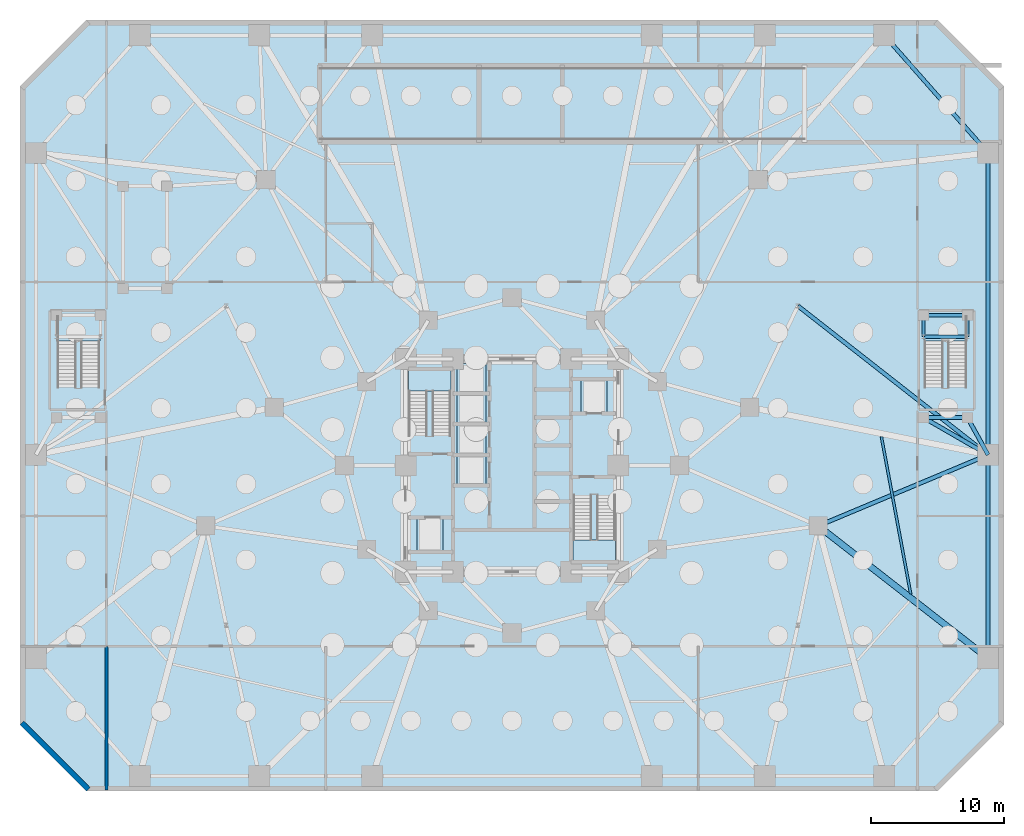
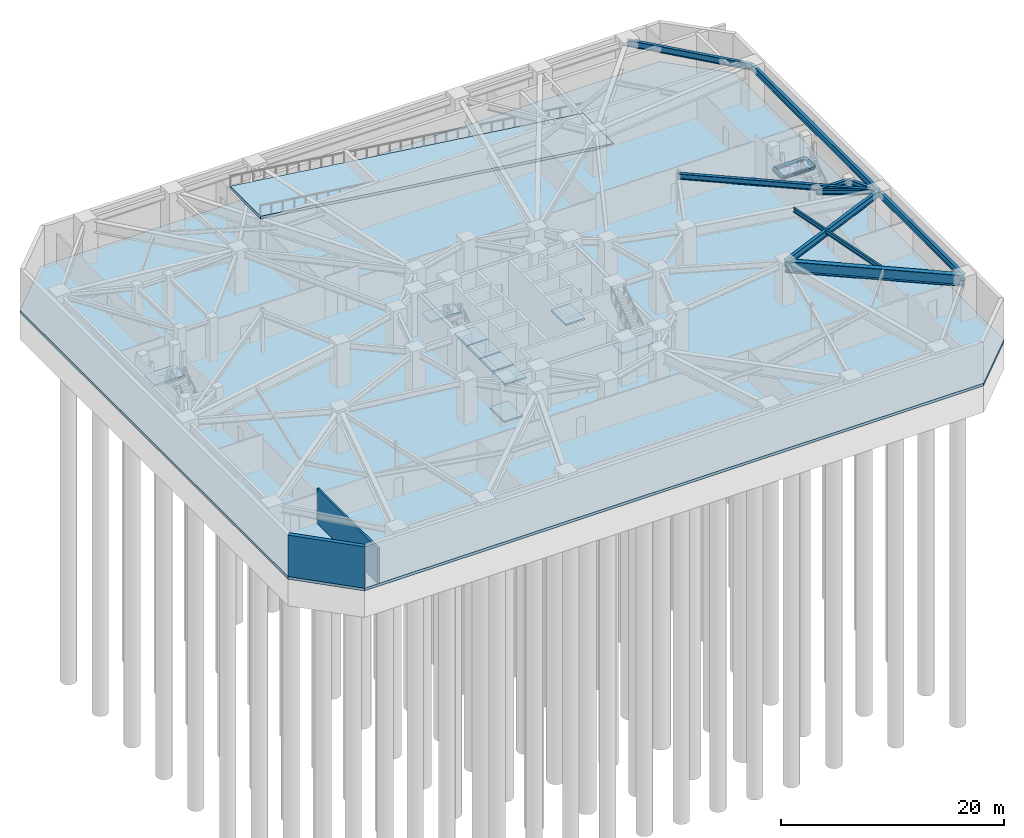
# One storey, part 11 of 20: 14 beams, 12 slabs, 2 walls, 4 elements without a shape of their own.
"""IFC4 building model written with IfcOpenShell, lengths in metres."""

from ifc_helpers import new_model, si_unit, direction, frame, frame_2d, origin, origin_2d, place, context, subcontext, project, spatial, polyline, rectangle, i_section, outline, extrude, material, layer, layer_set, material_profile, profile_set, type_object, element, aggregate, save


model = new_model("IFC4")

# Units and contexts
model_context = context("Model", 3, precision=1e-05, world=origin(), true_north=direction((0.0, 1.0)))
body_context = subcontext(model_context, "Body", "Model", "MODEL_VIEW")
ifc_project = project(units=[si_unit("LENGTHUNIT", "METRE"), si_unit("AREAUNIT", "SQUARE_METRE"), si_unit("VOLUMEUNIT", "CUBIC_METRE"), si_unit("PLANEANGLEUNIT", "RADIAN"), si_unit("MASSUNIT", "GRAM", prefix="KILO")], contexts=[model_context])

# Site, building, storey
site_placement = place(None, origin())
site = spatial("IfcSite", under=ifc_project, at=site_placement, CompositionType="ELEMENT")
building_placement = place(site_placement, origin())
building = spatial("IfcBuilding", under=site, at=building_placement, Name="Terralouvre Media Tower", CompositionType="ELEMENT")
storey_placement = place(building_placement, frame((0.0, 0.0, -9.60009765625)))
storey = spatial("IfcBuildingStorey", under=building, at=storey_placement, Name="B02", CompositionType="ELEMENT", Elevation=-9.60009765625)

# Beams
ifc_material_1 = material(Name="Structural steel S355J2", Category="steel")
ifc_material_profile_1 = material_profile(ifc_material_1, i_section(OverallWidth=0.18994140625, OverallDepth=0.449951171875, WebThickness=0.009521484375, FlangeThickness=0.0146484375, at=origin_2d()), Name="IPE 450")
ifc_profile_set_1 = profile_set([ifc_material_profile_1], Name="Structural steel S355J2")
beam_type_1 = type_object("IfcBeamType", Name="Composite Floor Joist J-IPE450 (IPE 450)", PredefinedType="JOIST", material=ifc_profile_set_1)
beam_1_placement = place(storey_placement, frame((29.985107421875, -9.6669921875, 4.295166015625), z_axis=(-0.183290741446, 0.983058749058, 0.0), x_axis=(-0.983058749058, -0.183290741446, 0.0)))
element("IfcBeam", 1, at=beam_1_placement, inside=storey, type_object=beam_type_1, Name="B02 Framing Beam JT-B02-08", PredefinedType="JOIST", context=body_context, shape_type="SweptSolid", body=[
    extrude(i_section(OverallWidth=0.18994140625, OverallDepth=0.449951171875, WebThickness=0.009521484375, FlangeThickness=0.0146484375, at=origin_2d()), origin(), (0.0, 0.0, 1.0), 12.026611328125),
])
ifc_material_2 = material(Name="Structural steel S355J2", Category="steel")
ifc_material_profile_2 = material_profile(ifc_material_2, i_section(OverallWidth=0.239990234375, OverallDepth=0.239990234375, WebThickness=0.010009765625, FlangeThickness=0.01708984375, at=origin_2d()), Name="HEB 240")
ifc_profile_set_2 = profile_set([ifc_material_profile_2], Name="Structural steel S355J2")
beam_type_2 = type_object("IfcBeamType", Name="Opening Lintel Beam LN-240H (HEB 240)", PredefinedType="LINTEL", material=ifc_profile_set_2)
for number, where, z_axis, x_axis, name in (
    (2, (30.949951171875, 9.679931640625, 2.080078125), (0.0, 1.0, 0.0), (-1.0, 0.0, 0.0), "B02 ST-04 Intermediate Landing Support Beam 1W"),
    (3, (34.25, 9.679931640625, 2.080078125), (0.0, 1.0, 0.0), (-1.0, 0.0, 0.0), "B02 ST-04 Intermediate Landing Support Beam 1E"),
):
    element("IfcBeam", number, at=place(storey_placement, frame(where, z_axis=z_axis, x_axis=x_axis)), inside=storey, type_object=beam_type_2, Name=name, PredefinedType="LINTEL", context=body_context, shape_type="SweptSolid", body=[
        extrude(i_section(OverallWidth=0.239990234375, OverallDepth=0.239990234375, WebThickness=0.010009765625, FlangeThickness=0.01708984375, at=origin_2d()), origin(), (0.0, 0.0, 1.0), 1.6201171875),
    ])
for number, where, z_axis, x_axis, name in (
    (4, (30.949951171875, 9.679931640625, 2.080078125), (1.0, 0.0, 0.0), (0.0, 1.0, 0.0), "B02 ST-04 Intermediate Landing Support Beam 1S"),
    (5, (30.949951171875, 11.300048828125, 2.080078125), (1.0, 0.0, 0.0), (0.0, 1.0, 0.0), "B02 ST-04 Intermediate Landing Support Beam 1X"),
):
    element("IfcBeam", number, at=place(storey_placement, frame(where, z_axis=z_axis, x_axis=x_axis)), inside=storey, type_object=beam_type_2, Name=name, PredefinedType="LINTEL", context=body_context, shape_type="SweptSolid", body=[
        extrude(i_section(OverallWidth=0.239990234375, OverallDepth=0.239990234375, WebThickness=0.010009765625, FlangeThickness=0.01708984375, at=origin_2d()), origin(), (0.0, 0.0, 1.0), 3.300048828125),
    ])
ifc_material_3 = material(Name="Structural steel S355J2", Category="steel")
ifc_material_profile_3 = material_profile(ifc_material_3, i_section(OverallWidth=0.300048828125, OverallDepth=0.449951171875, WebThickness=0.013916015625, FlangeThickness=0.02587890625, at=origin_2d()), Name="HEB 450")
ifc_profile_set_3 = profile_set([ifc_material_profile_3], Name="Structural steel S355J2")
beam_type_3 = type_object("IfcBeamType", Name="Primary Floor Girder B-HEB450 (HEB 450)", PredefinedType="BEAM", material=ifc_profile_set_3)
beam_2_placement = place(storey_placement, frame((30.949951171875, 3.60009765625, 4.295166015625), z_axis=(1.0, 0.0, 0.0), x_axis=(0.0, 1.0, 0.0)))
element("IfcBeam", 6, at=beam_2_placement, inside=storey, type_object=beam_type_3, Name="B02 Framing Beam BM-B02-PVST41", PredefinedType="BEAM", context=body_context, shape_type="SweptSolid", body=[
    extrude(i_section(OverallWidth=0.300048828125, OverallDepth=0.449951171875, WebThickness=0.013916015625, FlangeThickness=0.02587890625, at=origin_2d()), origin(), (0.0, 0.0, 1.0), 3.300048828125),
])
ifc_material_4 = material(Name="Structural steel S355J2", Category="steel")
ifc_material_profile_4 = material_profile(ifc_material_4, i_section(OverallWidth=0.300048828125, OverallDepth=0.5, WebThickness=0.014404296875, FlangeThickness=0.028076171875, at=origin_2d()), Name="HEB 500")
ifc_profile_set_4 = profile_set([ifc_material_profile_4], Name="Structural steel S355J2")
beam_type_4 = type_object("IfcBeamType", Name="Primary Floor Girder B-HEB500 (HEB 500)", PredefinedType="BEAM", material=ifc_profile_set_4)
beam_3_placement = place(storey_placement, frame((30.949951171875, 3.60009765625, 4.27001953125), z_axis=(0.866037493094, -0.499979060117, 0.0), x_axis=(0.499979060117, 0.866037493094, 0.0)))
element("IfcBeam", 7, at=beam_3_placement, inside=storey, type_object=beam_type_4, Name="B02 Framing Beam BM-B02-PVTST41", PredefinedType="BEAM", context=body_context, shape_type="SweptSolid", body=[
    extrude(i_section(OverallWidth=0.300048828125, OverallDepth=0.5, WebThickness=0.014404296875, FlangeThickness=0.028076171875, at=origin_2d()), origin(), (0.0, 0.0, 1.0), 5.600341796875),
])
beam_4_placement = place(storey_placement, frame((34.25, 3.60009765625, 4.27001953125), z_axis=(0.484321096397, -0.874890322032, 0.0), x_axis=(0.874890322032, 0.484321096397, 0.0)))
element("IfcBeam", 8, at=beam_4_placement, inside=storey, type_object=beam_type_4, Name="B02 Framing Beam BM-B02-PVTST42", PredefinedType="BEAM", context=body_context, shape_type="SweptSolid", body=[
    extrude(i_section(OverallWidth=0.300048828125, OverallDepth=0.5, WebThickness=0.014404296875, FlangeThickness=0.028076171875, at=origin_2d()), origin(), (0.0, 0.0, 1.0), 3.200439453125),
])
ifc_material_5 = material(Name="Structural steel S460M", Category="steel")
ifc_material_profile_5 = material_profile(ifc_material_5, i_section(OverallWidth=0.300048828125, OverallDepth=0.60009765625, WebThickness=0.015380859375, FlangeThickness=0.030029296875, at=origin_2d()), Name="HEB 600")
ifc_profile_set_5 = profile_set([ifc_material_profile_5], Name="Structural steel S460M")
beam_type_5 = type_object("IfcBeamType", Name="Primary Floor Girder B-HEB600 (HEB 600)", PredefinedType="BEAM", material=ifc_profile_set_5)
beam_5_placement = place(storey_placement, frame((21.5, 12.0, 4.22021484375), z_axis=(0.787274922091, -0.616602138373, 0.0), x_axis=(0.616602138373, 0.787274922091, 0.0)))
element("IfcBeam", 9, at=beam_5_placement, inside=storey, type_object=beam_type_5, Name="B02 Framing Beam BM-B02-PIL4B", PredefinedType="BEAM", context=body_context, shape_type="SweptSolid", body=[
    extrude(i_section(OverallWidth=0.300048828125, OverallDepth=0.60009765625, WebThickness=0.015380859375, FlangeThickness=0.030029296875, at=origin_2d()), origin(), (0.0, 0.0, 1.0), 18.1640625),
])
ifc_material_6 = material(Name="Structural steel S460M", Category="steel")
ifc_material_profile_6 = material_profile(ifc_material_6, i_section(OverallWidth=0.300048828125, OverallDepth=0.699951171875, WebThickness=0.01708984375, FlangeThickness=0.031982421875, at=origin_2d()), Name="HEB 700")
ifc_profile_set_6 = profile_set([ifc_material_profile_6], Name="Structural steel S460M")
beam_type_6 = type_object("IfcBeamType", Name="Primary Floor Girder B-HEB700 (HEB 700)", PredefinedType="BEAM", material=ifc_profile_set_6)
beam_6_placement = place(storey_placement, frame((23.02490234375, -4.546630859375, 4.170166015625), z_axis=(0.922468147364, 0.386073201737, 0.0), x_axis=(-0.386073201737, 0.922468147364, 0.0)))
element("IfcBeam", 10, at=beam_6_placement, inside=storey, type_object=beam_type_6, Name="B02 Framing Beam BM-B02-PM21P1", PredefinedType="BEAM", context=body_context, shape_type="SweptSolid", body=[
    extrude(i_section(OverallWidth=0.300048828125, OverallDepth=0.699951171875, WebThickness=0.01708984375, FlangeThickness=0.031982421875, at=origin_2d()), origin(), (0.0, 0.0, 1.0), 13.848876953125),
])
beam_7_placement = place(storey_placement, frame((35.800048828125, -14.5, 4.170166015625), z_axis=(0.0, 1.0, 0.0), x_axis=(-1.0, 0.0, 0.0)))
element("IfcBeam", 11, at=beam_7_placement, inside=storey, type_object=beam_type_6, Name="B02 Framing Beam BM-B02-PR08", PredefinedType="BEAM", context=body_context, shape_type="SweptSolid", body=[
    extrude(i_section(OverallWidth=0.300048828125, OverallDepth=0.699951171875, WebThickness=0.01708984375, FlangeThickness=0.031982421875, at=origin_2d()), origin(), (0.0, 0.0, 1.0), 15.300048828125),
])
beam_8_placement = place(storey_placement, frame((35.800048828125, 0.800048828125, 4.170166015625), z_axis=(0.0, 1.0, 0.0), x_axis=(-1.0, 0.0, 0.0)))
element("IfcBeam", 12, at=beam_8_placement, inside=storey, type_object=beam_type_6, Name="B02 Framing Beam BM-B02-PR09", PredefinedType="BEAM", context=body_context, shape_type="SweptSolid", body=[
    extrude(i_section(OverallWidth=0.300048828125, OverallDepth=0.699951171875, WebThickness=0.01708984375, FlangeThickness=0.031982421875, at=origin_2d()), origin(), (0.0, 0.0, 1.0), 22.699951171875),
])
beam_9_placement = place(storey_placement, frame((35.800048828125, 23.5, 4.170166015625), z_axis=(-0.661199207896, 0.75021037548, 0.0), x_axis=(-0.75021037548, -0.661199207896, 0.0)))
element("IfcBeam", 13, at=beam_9_placement, inside=storey, type_object=beam_type_6, Name="B02 Framing Beam BM-B02-PR10", PredefinedType="BEAM", context=body_context, shape_type="SweptSolid", body=[
    extrude(i_section(OverallWidth=0.300048828125, OverallDepth=0.699951171875, WebThickness=0.01708984375, FlangeThickness=0.031982421875, at=origin_2d()), origin(), (0.0, 0.0, 1.0), 11.796875),
])
ifc_material_7 = material(Name="Structural steel S460M", Category="steel")
ifc_material_profile_7 = material_profile(ifc_material_7, i_section(OverallWidth=0.47998046875, OverallDepth=1.199951171875, WebThickness=0.028076171875, FlangeThickness=0.044921875, at=origin_2d()), Name="PG 1200x480")
ifc_profile_set_7 = profile_set([ifc_material_profile_7], Name="Structural steel S460M")
beam_type_7 = type_object("IfcBeamType", Name="Primary Floor Girder B-PG1200 (PG 1200x480)", PredefinedType="BEAM", material=ifc_profile_set_7)
beam_10_placement = place(storey_placement, frame((23.02490234375, -4.546630859375, 3.920166015625), z_axis=(0.788838921833, -0.614599996259, 0.0), x_axis=(0.614599996259, 0.788838921833, 0.0)))
element("IfcBeam", 14, at=beam_10_placement, inside=storey, type_object=beam_type_7, Name="B02 Framing Beam BM-B02-RD08", PredefinedType="BEAM", context=body_context, shape_type="SweptSolid", body=[
    extrude(i_section(OverallWidth=0.47998046875, OverallDepth=1.199951171875, WebThickness=0.028076171875, FlangeThickness=0.044921875, at=origin_2d()), origin(), (0.0, 0.0, 1.0), 16.19482421875),
])

# Slabs
ifc_material_8 = material(Name="Concrete C50/60", Category="concrete")
ifc_layer_1 = layer(ifc_material_8, 0.300048828125, Name="Basement Structural Base Slab S-BASE300")
ifc_layer_set_1 = layer_set([ifc_layer_1], Name="Concrete C50/60")
slab_type_1 = type_object("IfcSlabType", Name="Basement Structural Base Slab S-BASE300", PredefinedType="BASESLAB", material=ifc_layer_set_1)
slab_1_placement = place(storey_placement, frame((0.0, 0.0, -0.2998046875)))
element("IfcSlab", 15, at=slab_1_placement, inside=storey, type_object=slab_type_1, Name="B02 Structural Floor Slab", PredefinedType="BASESLAB", context=body_context, shape_type="SweptSolid", body=[
    extrude(outline(polyline([(-32.0, -24.5), (32.0, -24.5), (37.0, -19.5), (37.0, 28.5), (32.0, 33.5), (-32.0, 33.5), (-37.0, 28.5), (-37.0, -19.5), (-32.0, -24.5)]), holes=[polyline([(22.02001953125, 24.39990234375), (19.64990234375, 24.39990234375), (19.64990234375, 30.0), (22.02001953125, 30.0), (22.02001953125, 24.39990234375)])]), origin(), (0.0, 0.0, 1.0), 0.2998046875),
])
ifc_material_9 = material(Name="Concrete C50/60", Category="concrete")
ifc_layer_2 = layer(ifc_material_9, 0.199951171875, Name="Lift Pit and Overrun Structural Slab SL-LP200")
ifc_layer_set_2 = layer_set([ifc_layer_2], Name="Concrete C50/60")
slab_type_2 = type_object("IfcSlabType", Name="Lift Pit and Overrun Structural Slab SL-LP200", PredefinedType="FLOOR", material=ifc_layer_set_2)
slab_2_placement = place(storey_placement, frame((0.0, 0.0, -1.599853515625)))
element("IfcSlab", 16, at=slab_2_placement, inside=storey, type_object=slab_type_2, Name="FFL-01 Lift Pit Base Slab", PredefinedType="FLOOR", context=body_context, shape_type="SweptSolid", body=[
    extrude(outline(polyline([(-7.159912109375, -6.5), (-5.199951171875, -6.5), (-5.199951171875, -3.860107421875), (-7.159912109375, -3.860107421875), (-7.159912109375, -6.5)])), origin(), (0.0, 0.0, 1.0), 0.199951171875),
])
slab_3_placement = place(storey_placement, frame((0.0, 0.0, -1.599853515625)))
element("IfcSlab", 17, at=slab_3_placement, inside=storey, type_object=slab_type_2, Name="FFL-02 Lift Pit Base Slab", PredefinedType="FLOOR", context=body_context, shape_type="SweptSolid", body=[
    extrude(outline(polyline([(5.199951171875, 3.860107421875), (7.159912109375, 3.860107421875), (7.159912109375, 6.5), (5.199951171875, 6.5), (5.199951171875, 3.860107421875)])), origin(), (0.0, 0.0, 1.0), 0.199951171875),
])
slab_4_placement = place(storey_placement, frame((0.0, 0.0, -1.599853515625)))
element("IfcSlab", 18, at=slab_4_placement, inside=storey, type_object=slab_type_2, Name="PL-L1 Lift Pit Base Slab", PredefinedType="FLOOR", context=body_context, shape_type="SweptSolid", body=[
    extrude(outline(polyline([(-4.1298828125, -1.469970703125), (-1.969970703125, -1.469970703125), (-1.969970703125, 0.77001953125), (-4.1298828125, 0.77001953125), (-4.1298828125, -1.469970703125)])), origin(), (0.0, 0.0, 1.0), 0.199951171875),
])
slab_5_placement = place(storey_placement, frame((0.0, 0.0, -1.599853515625)))
element("IfcSlab", 19, at=slab_5_placement, inside=storey, type_object=slab_type_2, Name="PL-L2 Lift Pit Base Slab", PredefinedType="FLOOR", context=body_context, shape_type="SweptSolid", body=[
    extrude(outline(polyline([(-4.1298828125, 0.830078125), (-1.969970703125, 0.830078125), (-1.969970703125, 3.070068359375), (-4.1298828125, 3.070068359375), (-4.1298828125, 0.830078125)])), origin(), (0.0, 0.0, 1.0), 0.199951171875),
])
slab_6_placement = place(storey_placement, frame((0.0, 0.0, -1.599853515625)))
element("IfcSlab", 20, at=slab_6_placement, inside=storey, type_object=slab_type_2, Name="PL-L3 Lift Pit Base Slab", PredefinedType="FLOOR", context=body_context, shape_type="SweptSolid", body=[
    extrude(outline(polyline([(-4.1298828125, 3.1298828125), (-1.969970703125, 3.1298828125), (-1.969970703125, 5.3701171875), (-4.1298828125, 5.3701171875), (-4.1298828125, 3.1298828125)])), origin(), (0.0, 0.0, 1.0), 0.199951171875),
])
slab_7_placement = place(storey_placement, frame((0.0, 0.0, -1.599853515625)))
element("IfcSlab", 21, at=slab_7_placement, inside=storey, type_object=slab_type_2, Name="PL-L4 Lift Pit Base Slab", PredefinedType="FLOOR", context=body_context, shape_type="SweptSolid", body=[
    extrude(outline(polyline([(-4.1298828125, 5.429931640625), (-1.969970703125, 5.429931640625), (-1.969970703125, 7.669921875), (-4.1298828125, 7.669921875), (-4.1298828125, 5.429931640625)])), origin(), (0.0, 0.0, 1.0), 0.199951171875),
])

# Stair, slab
ifc_material_10 = material(Name="Concrete C45/55", Category="concrete")
stair_type_1 = type_object("IfcStairType", Name="Dogleg Stair Assembly ST-01", PredefinedType="HALF_TURN_STAIR", material=ifc_material_10)
stair_1_placement = place(storey_placement, origin())
stair_1 = element("IfcStair", 22, at=stair_1_placement, inside=storey, type_object=stair_type_1, Name="B02 Core Pressurised Exit Stair ST-01", PredefinedType="HALF_TURN_STAIR")
ifc_material_11 = material(Name="Concrete C45/55", Category="concrete")
ifc_layer_3 = layer(ifc_material_11, 0.199951171875, Name="Reinforced Concrete Stair Half-Landing SL-LD1")
ifc_layer_set_3 = layer_set([ifc_layer_3], Name="Concrete C45/55")
slab_type_3 = type_object("IfcSlabType", Name="Reinforced Concrete Stair Half-Landing SL-LD1", PredefinedType="LANDING", material=ifc_layer_set_3)
slab_8_placement = place(storey_placement, frame((0.0, 0.0, 2.2001953125)))
slab_8 = element("IfcSlab", 23, at=slab_8_placement, type_object=slab_type_3, Name="ST-01 landing 1", PredefinedType="LANDING", context=body_context, shape_type="SweptSolid", body=[
    extrude(outline(polyline([(-4.60009765625, 5.60009765625), (-4.60009765625, 7.260009765625), (-7.780029296875, 7.260009765625), (-7.780029296875, 5.60009765625), (-4.60009765625, 5.60009765625)])), origin(), (0.0, 0.0, 1.0), 0.199951171875),
])
aggregate(stair_1, [slab_8])

ifc_material_12 = material(Name="Concrete C45/55", Category="concrete")
stair_type_2 = type_object("IfcStairType", Name="Dogleg Stair Assembly ST-02", PredefinedType="HALF_TURN_STAIR", material=ifc_material_12)
stair_2_placement = place(storey_placement, origin())
stair_2 = element("IfcStair", 24, at=stair_2_placement, inside=storey, type_object=stair_type_2, Name="B02 Core Pressurised Exit Stair ST-02", PredefinedType="HALF_TURN_STAIR")
slab_9_placement = place(storey_placement, frame((0.0, 0.0, 2.2001953125)))
slab_9 = element("IfcSlab", 25, at=slab_9_placement, type_object=slab_type_3, Name="ST-02 landing 1", PredefinedType="LANDING", context=body_context, shape_type="SweptSolid", body=[
    extrude(outline(polyline([(4.60009765625, -5.60009765625), (4.60009765625, -7.260009765625), (7.780029296875, -7.260009765625), (7.780029296875, -5.60009765625), (4.60009765625, -5.60009765625)])), origin(), (0.0, 0.0, 1.0), 0.199951171875),
])
aggregate(stair_2, [slab_9])

ifc_material_13 = material(Name="Concrete C45/55", Category="concrete")
stair_type_3 = type_object("IfcStairType", Name="Dogleg Stair Assembly ST-03", PredefinedType="HALF_TURN_STAIR", material=ifc_material_13)
stair_3_placement = place(storey_placement, origin())
stair_3 = element("IfcStair", 26, at=stair_3_placement, inside=storey, type_object=stair_type_3, Name="B02 West Podium Exit Stair ST-03", PredefinedType="HALF_TURN_STAIR")
slab_10_placement = place(storey_placement, frame((0.0, 0.0, 2.2001953125)))
slab_10 = element("IfcSlab", 27, at=slab_10_placement, type_object=slab_type_3, Name="ST-03 landing 1", PredefinedType="LANDING", context=body_context, shape_type="SweptSolid", body=[
    extrude(outline(polyline([(-31.0, 9.360107421875), (-31.0, 11.25), (-34.199951171875, 11.25), (-34.199951171875, 9.360107421875), (-31.0, 9.360107421875)])), origin(), (0.0, 0.0, 1.0), 0.199951171875),
])
aggregate(stair_3, [slab_10])

ifc_material_14 = material(Name="Concrete C45/55", Category="concrete")
stair_type_4 = type_object("IfcStairType", Name="Dogleg Stair Assembly ST-04", PredefinedType="HALF_TURN_STAIR", material=ifc_material_14)
stair_4_placement = place(storey_placement, origin())
stair_4 = element("IfcStair", 28, at=stair_4_placement, inside=storey, type_object=stair_type_4, Name="B02 East Podium Exit Stair ST-04", PredefinedType="HALF_TURN_STAIR")
slab_11_placement = place(storey_placement, frame((0.0, 0.0, 2.2001953125)))
slab_11 = element("IfcSlab", 29, at=slab_11_placement, type_object=slab_type_3, Name="ST-04 landing 1", PredefinedType="LANDING", context=body_context, shape_type="SweptSolid", body=[
    extrude(outline(polyline([(34.199951171875, 9.360107421875), (34.199951171875, 11.25), (31.0, 11.25), (31.0, 9.360107421875), (34.199951171875, 9.360107421875)])), origin(), (0.0, 0.0, 1.0), 0.199951171875),
])
aggregate(stair_4, [slab_11])

# Slab
ifc_material_15 = material(Name="Concrete C50/60", Category="concrete")
ifc_layer_4 = layer(ifc_material_15, 0.280029296875, Name="Reinforced Concrete Vehicle Access Ramp Slab SL-VR280")
ifc_layer_set_4 = layer_set([ifc_layer_4], Name="Concrete C50/60")
slab_type_4 = type_object("IfcSlabType", Name="Reinforced Concrete Vehicle Access Ramp Slab SL-VR280", PredefinedType="FLOOR", material=ifc_layer_set_4)
slab_12_placement = place(storey_placement, frame((22.0, 24.47998046875, 0.0), z_axis=(0.130561530463, 0.0, 0.991440208365), x_axis=(-0.991440208365, 0.0, 0.130561530463)))
element("IfcSlab", 30, at=slab_12_placement, inside=storey, type_object=slab_type_4, Name="Basement B02 to B01 Vehicle Access Ramp Slab", PredefinedType="FLOOR", context=body_context, shape_type="SweptSolid", body=[
    extrude(outline(polyline([(0.0, 0.0), (36.7646484375, 0.0), (36.7646484375, -5.43994140625), (0.0, -5.43994140625), (0.0, 0.0)])), origin(), (0.0, 0.0, -1.0), 0.280029296875),
])

# Walls
ifc_material_16 = material(Name="Concrete C50/60", Category="concrete")
ifc_layer_5 = layer(ifc_material_16, 0.39990234375, Name="Basement Perimeter Retaining Wall EW-RC400")
ifc_layer_set_5 = layer_set([ifc_layer_5], Name="Concrete C50/60")
wall_type_1 = type_object("IfcWallType", Name="Basement Perimeter Retaining Wall EW-RC400", PredefinedType="USERDEFINED", material=ifc_layer_set_5)
wall_1_placement = place(storey_placement, frame((-36.858642578125, -19.358642578125, 0.0), z_axis=(0.0, 0.0, 1.0), x_axis=(0.707106781187, -0.707106781187, 0.0)))
element("IfcWall", 31, at=wall_1_placement, inside=storey, type_object=wall_type_1, Name="B02 Perimeter Retaining Wall 08", ObjectType="RETAINING", PredefinedType="USERDEFINED", context=body_context, shape_type="SweptSolid", body=[
    extrude(rectangle(XDim=7.071044921875, YDim=0.39990234375, at=frame_2d((3.53564453125, 0.0))), origin(), (0.0, 0.0, 1.0), 4.52001953125),
])
ifc_material_17 = material(Name="Fire-rated gypsum board drywall partition")
ifc_layer_6 = layer(ifc_material_17, 0.199951171875, Name="Fire-Rated Shaft and Lobby Partition FW-200")
ifc_layer_set_6 = layer_set([ifc_layer_6], Name="Fire-rated gypsum board drywall partition")
wall_type_2 = type_object("IfcWallType", Name="Fire-Rated Shaft and Lobby Partition FW-200", PredefinedType="SOLIDWALL", material=ifc_layer_set_6)
wall_2_placement = place(storey_placement, frame((-30.5, -24.419921875, 0.0), z_axis=(0.0, 0.0, 1.0), x_axis=(0.0, 1.0, 0.0)))
element("IfcWall", 32, at=wall_2_placement, inside=storey, type_object=wall_type_2, Name="B02 Interior Partition 016", PredefinedType="SOLIDWALL", context=body_context, shape_type="SweptSolid", body=[
    extrude(rectangle(XDim=10.81982421875, YDim=0.199951171875, at=frame_2d((5.409912109375, 0.0))), origin(), (0.0, 0.0, 1.0), 3.80517578125),
])

save(model, "model.ifc")
